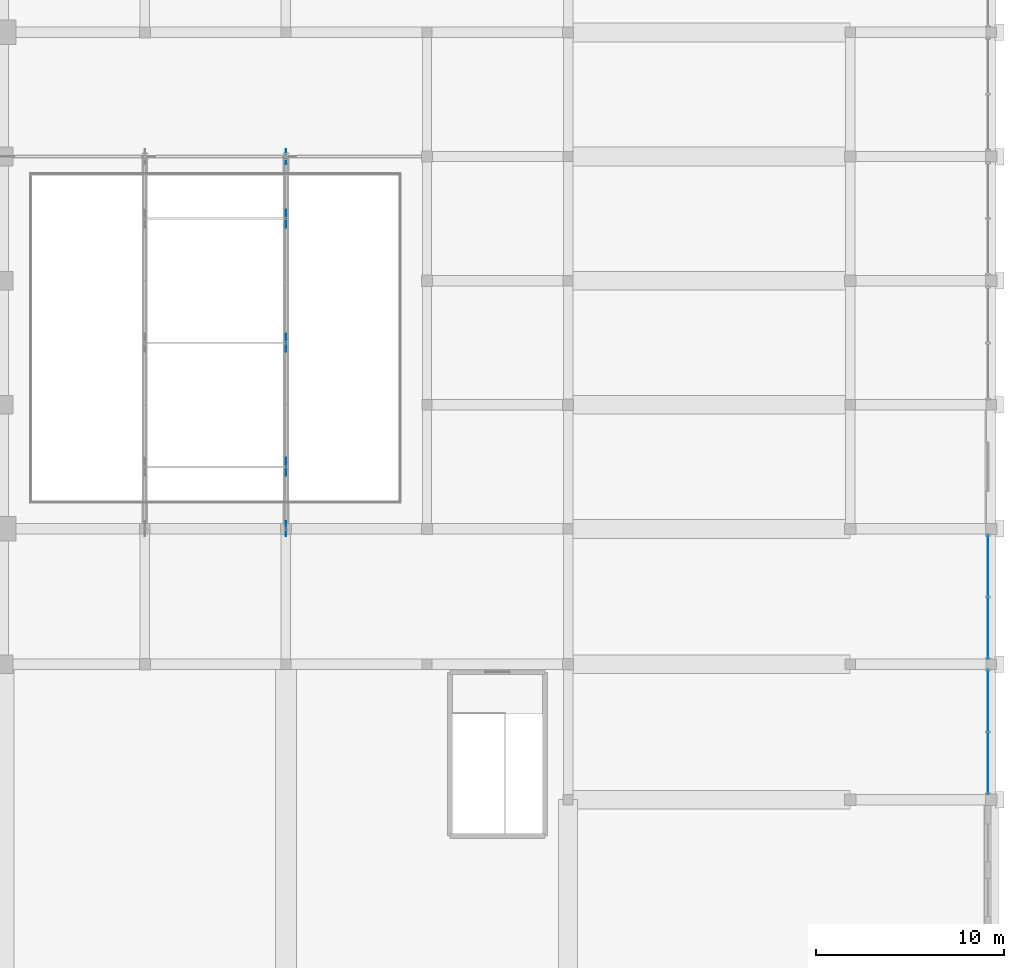
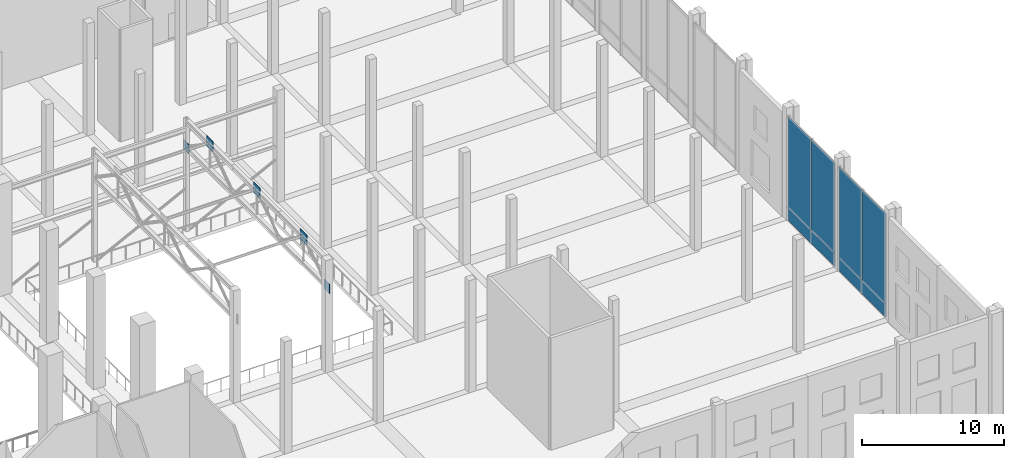
# One storey, part 57 of 80: 11 plates, 2 elements without a shape of their own.
"""IFC4 building model written with IfcOpenShell, lengths in metres."""

from ifc_helpers import new_model, si_unit, direction, frame, origin, origin_2d, place, context, subcontext, project, spatial, rectangle, extrude, material, layer, layer_set, type_object, element, aggregate, save


model = new_model("IFC4")

# Units and contexts
model_context = context("Model", 3, precision=1e-05, world=origin(), true_north=direction((0.0, 1.0)))
body_context = subcontext(model_context, "Body", "Model", "MODEL_VIEW")
ifc_project = project(units=[si_unit("LENGTHUNIT", "METRE"), si_unit("AREAUNIT", "SQUARE_METRE"), si_unit("VOLUMEUNIT", "CUBIC_METRE"), si_unit("PLANEANGLEUNIT", "RADIAN"), si_unit("MASSUNIT", "GRAM", prefix="KILO")], contexts=[model_context])

# Site, building, storey
site_placement = place(None, origin())
site = spatial("IfcSite", under=ifc_project, at=site_placement, CompositionType="ELEMENT")
building_placement = place(site_placement, origin())
building = spatial("IfcBuilding", under=site, at=building_placement, Name="Akrevak Sports Hall", CompositionType="ELEMENT")
storey_placement = place(building_placement, frame((0.0, 0.0, 14.0)))
storey = spatial("IfcBuildingStorey", under=building, at=storey_placement, Name="L03", CompositionType="ELEMENT", Elevation=14.0)

# Curtain wall, plates
ifc_material_1 = material(Name="Anodized Bronze Aluminium & Low-E Glass", Category="aluminium")
curtain_wall_type = type_object("IfcCurtainWallType", Name="ARC-CW-POD-64x94", PredefinedType="NOTDEFINED", material=ifc_material_1)
curtain_wall_1_placement = place(storey_placement, origin())
curtain_wall_1 = element("IfcCurtainWall", 1, at=curtain_wall_1_placement, inside=storey, type_object=curtain_wall_type, Name="Curtain Wall CW-L03-E03", PredefinedType="NOTDEFINED")
ifc_material_2 = material(Name="Double Low-E Tempered Glass", Category="glass")
ifc_layer_1 = layer(ifc_material_2, 0.035888671875, Name="Double Low-E Tempered Glass")
ifc_layer_set_1 = layer_set([ifc_layer_1], Name="Double Low-E Tempered Glass")
plate_type_1 = type_object("IfcPlateType", Name="ARC-CWP-GLZ-36", PredefinedType="CURTAIN_PANEL", material=ifc_layer_set_1)
plate_1_placement = place(storey_placement, frame((167.830078125, 16.356201171875, 1.14990234375), z_axis=(0.0, 0.0, 1.0), x_axis=(0.0, 1.0, 0.0)))
plate_1 = element("IfcPlate", 2, at=plate_1_placement, type_object=plate_type_1, Name="Vision Glass Panel CW-L03-E03-G1", PredefinedType="CURTAIN_PANEL", context=body_context, shape_type="SweptSolid", body=[
    extrude(rectangle(XDim=3.3125, YDim=0.035888671875, at=origin_2d()), origin(), (0.0, 0.0, 1.0), 7.77001953125),
])
plate_2_placement = place(storey_placement, frame((167.830078125, 19.668701171875, 1.14990234375), z_axis=(0.0, 0.0, 1.0), x_axis=(0.0, 1.0, 0.0)))
plate_2 = element("IfcPlate", 3, at=plate_2_placement, type_object=plate_type_1, Name="Vision Glass Panel CW-L03-E03-G2", PredefinedType="CURTAIN_PANEL", context=body_context, shape_type="SweptSolid", body=[
    extrude(rectangle(XDim=3.3125, YDim=0.035888671875, at=origin_2d()), origin(), (0.0, 0.0, 1.0), 7.77001953125),
])

curtain_wall_2_placement = place(storey_placement, origin())
curtain_wall_2 = element("IfcCurtainWall", 4, at=curtain_wall_2_placement, inside=storey, type_object=curtain_wall_type, Name="Curtain Wall CW-L03-E04", PredefinedType="NOTDEFINED")
plate_3_placement = place(storey_placement, frame((167.830078125, 23.53125, 1.14990234375), z_axis=(0.0, 0.0, 1.0), x_axis=(0.0, 1.0, 0.0)))
plate_3 = element("IfcPlate", 5, at=plate_3_placement, type_object=plate_type_1, Name="Vision Glass Panel CW-L03-E04-G1", PredefinedType="CURTAIN_PANEL", context=body_context, shape_type="SweptSolid", body=[
    extrude(rectangle(XDim=3.3125, YDim=0.035888671875, at=origin_2d()), origin(), (0.0, 0.0, 1.0), 7.77001953125),
])
plate_4_placement = place(storey_placement, frame((167.830078125, 26.84375, 1.14990234375), z_axis=(0.0, 0.0, 1.0), x_axis=(0.0, 1.0, 0.0)))
plate_4 = element("IfcPlate", 6, at=plate_4_placement, type_object=plate_type_1, Name="Vision Glass Panel CW-L03-E04-G2", PredefinedType="CURTAIN_PANEL", context=body_context, shape_type="SweptSolid", body=[
    extrude(rectangle(XDim=3.3125, YDim=0.035888671875, at=origin_2d()), origin(), (0.0, 0.0, 1.0), 7.77001953125),
])

# Plate
ifc_material_3 = material(Name="Insulated Bronze Spandrel Panel", Category="aluminium")
ifc_layer_2 = layer(ifc_material_3, 0.0439453125, Name="Insulated Bronze Spandrel Panel")
ifc_layer_set_2 = layer_set([ifc_layer_2], Name="Insulated Bronze Spandrel Panel")
plate_type_2 = type_object("IfcPlateType", Name="ARC-CWP-SPD-44", PredefinedType="CURTAIN_PANEL", material=ifc_layer_set_2)
plate_5_placement = place(storey_placement, frame((167.830078125, 18.012451171875, 0.0), z_axis=(0.0, 0.0, 1.0), x_axis=(0.0, 1.0, 0.0)))
plate_5 = element("IfcPlate", 7, at=plate_5_placement, type_object=plate_type_2, Name="Insulated Spandrel Panel CW-L03-E03-S1", PredefinedType="CURTAIN_PANEL", context=body_context, shape_type="SweptSolid", body=[
    extrude(rectangle(XDim=6.625, YDim=0.0439453125, at=origin_2d()), origin(), (0.0, 0.0, 1.0), 1.14990234375),
])

aggregate(curtain_wall_1, [plate_1, plate_2, plate_5])

plate_6_placement = place(storey_placement, frame((167.830078125, 25.1875, 0.0), z_axis=(0.0, 0.0, 1.0), x_axis=(0.0, 1.0, 0.0)))
plate_6 = element("IfcPlate", 8, at=plate_6_placement, type_object=plate_type_2, Name="Insulated Spandrel Panel CW-L03-E04-S1", PredefinedType="CURTAIN_PANEL", context=body_context, shape_type="SweptSolid", body=[
    extrude(rectangle(XDim=6.625, YDim=0.0439453125, at=origin_2d()), origin(), (0.0, 0.0, 1.0), 1.14990234375),
])

aggregate(curtain_wall_2, [plate_3, plate_4, plate_6])

# Plates
ifc_material_4 = material(Name="Steel S355", Category="steel")
ifc_layer_3 = layer(ifc_material_4, 0.0400390625, Name="Steel S355")
ifc_layer_set_3 = layer_set([ifc_layer_3], Name="Steel S355")
plate_type_3 = type_object("IfcPlateType", Name="STR-PLT-ANCHOR-40", PredefinedType="SHEET", material=ifc_layer_set_3)
for number, where, z_axis, x_axis, name in (
    (9, (130.5, 28.800048828125, 6.7900390625), (0.0, 0.0, 1.0), (0.0, 1.0, 0.0), "Embedded Steel Anchor Plate TRS-4-E"),
    (10, (130.5, 48.60009765625, 6.7900390625), (0.0, 0.0, 1.0), (0.0, 1.0, 0.0), "Embedded Steel Anchor Plate TRS-4-H"),
):
    element("IfcPlate", number, at=place(storey_placement, frame(where, z_axis=z_axis, x_axis=x_axis)), inside=storey, type_object=plate_type_3, Name=name, PredefinedType="SHEET", context=body_context, shape_type="SweptSolid", body=[
        extrude(rectangle(XDim=0.800048828125, YDim=0.0400390625, at=origin_2d()), origin(), (0.0, 0.0, 1.0), 0.800048828125),
    ])
ifc_layer_4 = layer(ifc_material_4, 0.031982421875, Name="Steel S355")
ifc_layer_set_4 = layer_set([ifc_layer_4], Name="Steel S355")
plate_type_4 = type_object("IfcPlateType", Name="STR-PLT-GUSSET-32", PredefinedType="SHEET", material=ifc_layer_set_4)
for number, where, z_axis, x_axis, name in (
    (11, (130.5, 32.10009765625, 8.989990234375), (0.0, 0.0, 1.0), (1.0, 0.0, 0.0), "Roof Truss Concentric Gusset Plate TRS-4-1"),
    (12, (130.5, 38.699951171875, 8.989990234375), (0.0, 0.0, 1.0), (1.0, 0.0, 0.0), "Roof Truss Concentric Gusset Plate TRS-4-2"),
    (13, (130.5, 45.300048828125, 8.989990234375), (0.0, 0.0, 1.0), (1.0, 0.0, 0.0), "Roof Truss Concentric Gusset Plate TRS-4-3"),
):
    element("IfcPlate", number, at=place(storey_placement, frame(where, z_axis=z_axis, x_axis=x_axis)), inside=storey, type_object=plate_type_4, Name=name, PredefinedType="SHEET", context=body_context, shape_type="SweptSolid", body=[
        extrude(rectangle(XDim=0.031982421875, YDim=0.949951171875, at=origin_2d()), origin(), (0.0, 0.0, 1.0), 0.89990234375),
    ])

save(model, "model.ifc")
